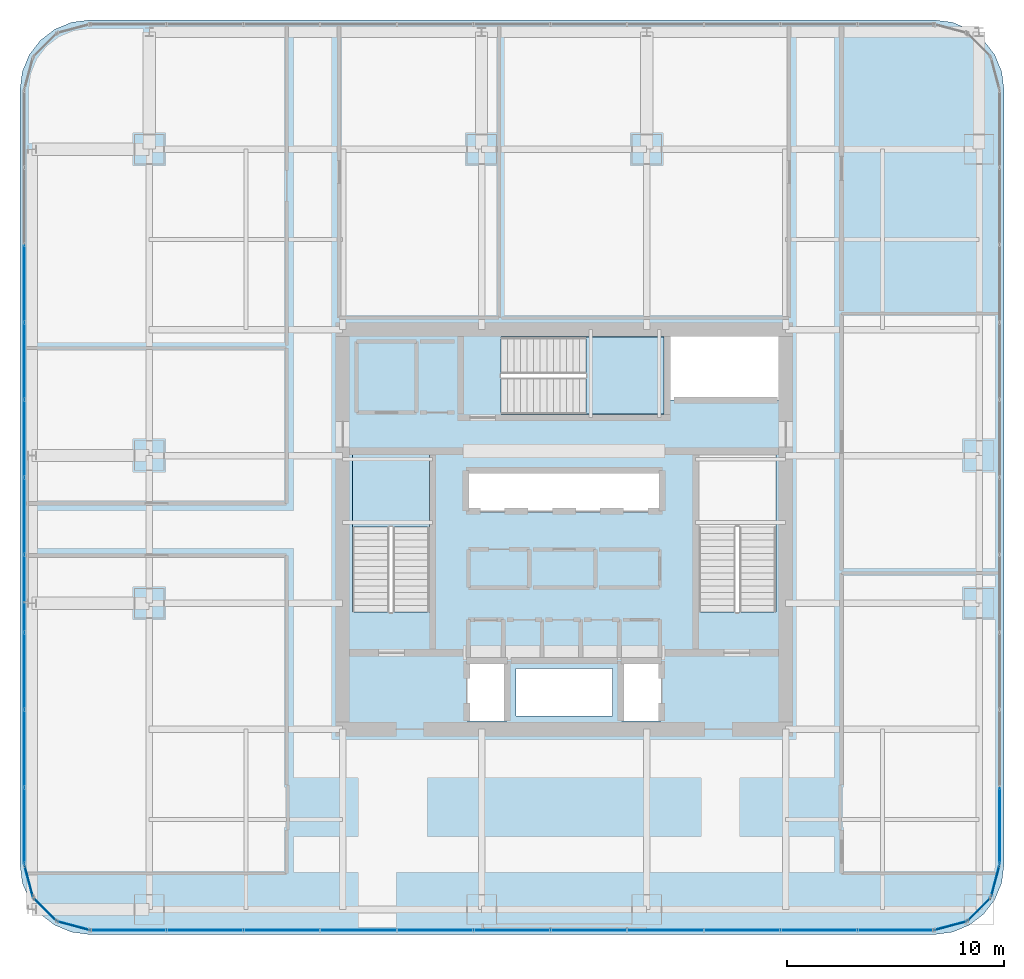
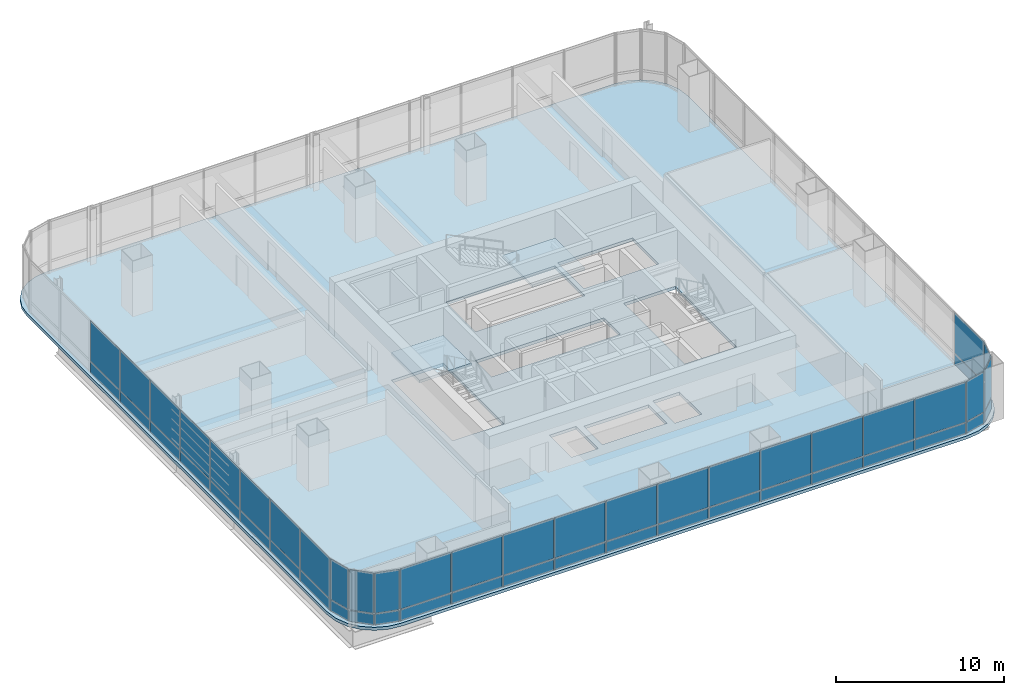
# One storey, part 28 of 38: 52 plates, 3 slabs, 11 elements without a shape of their own.
"""IFC4 building model written with IfcOpenShell, lengths in metres."""

from ifc_helpers import new_model, si_unit, direction, frame, origin, origin_2d, place, context, subcontext, project, spatial, polyline, rectangle, outline, extrude, material, layer, layer_set, type_object, element, aggregate, save


model = new_model("IFC4")

# Units and contexts
model_context = context("Model", 3, precision=1e-05, world=origin(), true_north=direction((0.0, 1.0)))
body_context = subcontext(model_context, "Body", "Model", "MODEL_VIEW")
ifc_project = project(units=[si_unit("LENGTHUNIT", "METRE"), si_unit("AREAUNIT", "SQUARE_METRE"), si_unit("VOLUMEUNIT", "CUBIC_METRE"), si_unit("PLANEANGLEUNIT", "RADIAN"), si_unit("MASSUNIT", "GRAM", prefix="KILO")], contexts=[model_context])

# Site, building, storey
site_placement = place(None, origin())
site = spatial("IfcSite", under=ifc_project, at=site_placement, CompositionType="ELEMENT")
building_placement = place(site_placement, origin())
building = spatial("IfcBuilding", under=site, at=building_placement, Name="Punatoya Terracotta Tower", CompositionType="ELEMENT")
storey_placement = place(building_placement, frame((0.0, 0.0, 151.949951171875)))
storey = spatial("IfcBuildingStorey", under=building, at=storey_placement, Name="L35", CompositionType="ELEMENT", Elevation=151.949951171875)

# Curtain wall, plates
ifc_material_1 = material(Name="Aluminium 6063-T6 + Double Low-E Glass", Category="aluminium")
curtain_wall_type = type_object("IfcCurtainWallType", Name="CW-M2", PredefinedType="NOTDEFINED", material=ifc_material_1)
curtain_wall_1_placement = place(storey_placement, origin())
curtain_wall_1 = element("IfcCurtainWall", 1, at=curtain_wall_1_placement, inside=storey, type_object=curtain_wall_type, Name="L35 Curtain Wall CW-L35-S01-1", PredefinedType="NOTDEFINED")
ifc_material_2 = material(Name="Double Low-E Acoustic Vision Glass", Category="glass")
ifc_layer_1 = layer(ifc_material_2, 0.031982421875)
ifc_layer_set_1 = layer_set([ifc_layer_1], Name="Double Low-E Acoustic Vision Glass")
plate_type_1 = type_object("IfcPlateType", Name="PLT-GLZ-32", PredefinedType="CURTAIN_PANEL", material=ifc_layer_set_1)
plate_1_placement = place(storey_placement, frame((-20.06982421875, -18.449951171875, 0.89013671875), z_axis=(0.0, 0.0, 1.0), x_axis=(1.0, 0.0, 0.0)))
plate_1 = element("IfcPlate", 2, at=plate_1_placement, type_object=plate_type_1, Name="CW-L35-S01-1 Vision Glass Panel 1", PredefinedType="CURTAIN_PANEL", context=body_context, shape_type="SweptSolid", body=[
    extrude(rectangle(XDim=3.448974609375, YDim=0.031982421875, at=origin_2d()), origin(), (0.0, 0.0, 1.0), 2.89990234375),
])
plate_2_placement = place(storey_placement, frame((-16.535888671875, -18.449951171875, 0.89013671875), z_axis=(0.0, 0.0, 1.0), x_axis=(1.0, 0.0, 0.0)))
plate_2 = element("IfcPlate", 3, at=plate_2_placement, type_object=plate_type_1, Name="CW-L35-S01-1 Vision Glass Panel 2", PredefinedType="CURTAIN_PANEL", context=body_context, shape_type="SweptSolid", body=[
    extrude(rectangle(XDim=3.448974609375, YDim=0.031982421875, at=origin_2d()), origin(), (0.0, 0.0, 1.0), 2.89990234375),
])
plate_3_placement = place(storey_placement, frame((-13.001953125, -18.449951171875, 0.89013671875), z_axis=(0.0, 0.0, 1.0), x_axis=(1.0, 0.0, 0.0)))
plate_3 = element("IfcPlate", 4, at=plate_3_placement, type_object=plate_type_1, Name="CW-L35-S01-1 Vision Glass Panel 3", PredefinedType="CURTAIN_PANEL", context=body_context, shape_type="SweptSolid", body=[
    extrude(rectangle(XDim=3.448974609375, YDim=0.031982421875, at=origin_2d()), origin(), (0.0, 0.0, 1.0), 2.89990234375),
])
plate_4_placement = place(storey_placement, frame((-9.468017578125, -18.449951171875, 0.89013671875), z_axis=(0.0, 0.0, 1.0), x_axis=(1.0, 0.0, 0.0)))
plate_4 = element("IfcPlate", 5, at=plate_4_placement, type_object=plate_type_1, Name="CW-L35-S01-1 Vision Glass Panel 4", PredefinedType="CURTAIN_PANEL", context=body_context, shape_type="SweptSolid", body=[
    extrude(rectangle(XDim=3.448974609375, YDim=0.031982421875, at=origin_2d()), origin(), (0.0, 0.0, 1.0), 2.89990234375),
])
plate_5_placement = place(storey_placement, frame((-5.93408203125, -18.449951171875, 0.89013671875), z_axis=(0.0, 0.0, 1.0), x_axis=(1.0, 0.0, 0.0)))
plate_5 = element("IfcPlate", 6, at=plate_5_placement, type_object=plate_type_1, Name="CW-L35-S01-1 Vision Glass Panel 5", PredefinedType="CURTAIN_PANEL", context=body_context, shape_type="SweptSolid", body=[
    extrude(rectangle(XDim=3.448974609375, YDim=0.031982421875, at=origin_2d()), origin(), (0.0, 0.0, 1.0), 2.89990234375),
])
plate_6_placement = place(storey_placement, frame((-2.39990234375, -18.449951171875, 0.89013671875), z_axis=(0.0, 0.0, 1.0), x_axis=(1.0, 0.0, 0.0)))
plate_6 = element("IfcPlate", 7, at=plate_6_placement, type_object=plate_type_1, Name="CW-L35-S01-1 Vision Glass Panel 6", PredefinedType="CURTAIN_PANEL", context=body_context, shape_type="SweptSolid", body=[
    extrude(rectangle(XDim=3.448974609375, YDim=0.031982421875, at=origin_2d()), origin(), (0.0, 0.0, 1.0), 2.89990234375),
])
plate_7_placement = place(storey_placement, frame((1.134033203125, -18.449951171875, 0.89013671875), z_axis=(0.0, 0.0, 1.0), x_axis=(1.0, 0.0, 0.0)))
plate_7 = element("IfcPlate", 8, at=plate_7_placement, type_object=plate_type_1, Name="CW-L35-S01-1 Vision Glass Panel 7", PredefinedType="CURTAIN_PANEL", context=body_context, shape_type="SweptSolid", body=[
    extrude(rectangle(XDim=3.448974609375, YDim=0.031982421875, at=origin_2d()), origin(), (0.0, 0.0, 1.0), 2.89990234375),
])
plate_8_placement = place(storey_placement, frame((4.66796875, -18.449951171875, 0.89013671875), z_axis=(0.0, 0.0, 1.0), x_axis=(1.0, 0.0, 0.0)))
plate_8 = element("IfcPlate", 9, at=plate_8_placement, type_object=plate_type_1, Name="CW-L35-S01-1 Vision Glass Panel 8", PredefinedType="CURTAIN_PANEL", context=body_context, shape_type="SweptSolid", body=[
    extrude(rectangle(XDim=3.448974609375, YDim=0.031982421875, at=origin_2d()), origin(), (0.0, 0.0, 1.0), 2.89990234375),
])
plate_9_placement = place(storey_placement, frame((8.201904296875, -18.449951171875, 0.89013671875), z_axis=(0.0, 0.0, 1.0), x_axis=(1.0, 0.0, 0.0)))
plate_9 = element("IfcPlate", 10, at=plate_9_placement, type_object=plate_type_1, Name="CW-L35-S01-1 Vision Glass Panel 9", PredefinedType="CURTAIN_PANEL", context=body_context, shape_type="SweptSolid", body=[
    extrude(rectangle(XDim=3.448974609375, YDim=0.031982421875, at=origin_2d()), origin(), (0.0, 0.0, 1.0), 2.89990234375),
])
plate_10_placement = place(storey_placement, frame((11.73583984375, -18.449951171875, 0.89013671875), z_axis=(0.0, 0.0, 1.0), x_axis=(1.0, 0.0, 0.0)))
plate_10 = element("IfcPlate", 11, at=plate_10_placement, type_object=plate_type_1, Name="CW-L35-S01-1 Vision Glass Panel 10", PredefinedType="CURTAIN_PANEL", context=body_context, shape_type="SweptSolid", body=[
    extrude(rectangle(XDim=3.448974609375, YDim=0.031982421875, at=origin_2d()), origin(), (0.0, 0.0, 1.0), 2.89990234375),
])
plate_11_placement = place(storey_placement, frame((15.27001953125, -18.449951171875, 0.89013671875), z_axis=(0.0, 0.0, 1.0), x_axis=(1.0, 0.0, 0.0)))
plate_11 = element("IfcPlate", 12, at=plate_11_placement, type_object=plate_type_1, Name="CW-L35-S01-1 Vision Glass Panel 11", PredefinedType="CURTAIN_PANEL", context=body_context, shape_type="SweptSolid", body=[
    extrude(rectangle(XDim=3.448974609375, YDim=0.031982421875, at=origin_2d()), origin(), (0.0, 0.0, 1.0), 2.89990234375),
])

# Curtain wall, plate
curtain_wall_2_placement = place(storey_placement, origin())
curtain_wall_2 = element("IfcCurtainWall", 13, at=curtain_wall_2_placement, inside=storey, type_object=curtain_wall_type, Name="L35 Curtain Wall CW-L35-CRN02", PredefinedType="NOTDEFINED")
plate_12_placement = place(storey_placement, frame((17.79296875, -18.248291015625, 0.89013671875), z_axis=(0.0, 0.0, 1.0), x_axis=(0.966213877436, 0.257741620719, 0.0)))
plate_12 = element("IfcPlate", 14, at=plate_12_placement, type_object=plate_type_1, Name="CW-L35-CRN02 Vision Glass Panel 1", PredefinedType="CURTAIN_PANEL", context=body_context, shape_type="SweptSolid", body=[
    extrude(rectangle(XDim=1.47998046875, YDim=0.031982421875, at=origin_2d()), origin(), (0.0, 0.0, 1.0), 2.89990234375),
])

curtain_wall_3_placement = place(storey_placement, origin())
curtain_wall_3 = element("IfcCurtainWall", 15, at=curtain_wall_3_placement, inside=storey, type_object=curtain_wall_type, Name="L35 Curtain Wall CW-L35-CRN03", PredefinedType="NOTDEFINED")
plate_13_placement = place(storey_placement, frame((19.097900390625, -17.497802734375, 0.89013671875), z_axis=(0.0, 0.0, 1.0), x_axis=(0.707106781187, 0.707106781187, 0.0)))
plate_13 = element("IfcPlate", 16, at=plate_13_placement, type_object=plate_type_1, Name="CW-L35-CRN03 Vision Glass Panel 1", PredefinedType="CURTAIN_PANEL", context=body_context, shape_type="SweptSolid", body=[
    extrude(rectangle(XDim=1.467041015625, YDim=0.031982421875, at=origin_2d()), origin(), (0.0, 0.0, 1.0), 2.89990234375),
])

curtain_wall_4_placement = place(storey_placement, origin())
curtain_wall_4 = element("IfcCurtainWall", 17, at=curtain_wall_4_placement, inside=storey, type_object=curtain_wall_type, Name="L35 Curtain Wall CW-L35-CRN04", PredefinedType="NOTDEFINED")
plate_14_placement = place(storey_placement, frame((19.848388671875, -16.193115234375, 0.89013671875), z_axis=(0.0, 0.0, 1.0), x_axis=(0.257741620719, 0.966213877436, 0.0)))
plate_14 = element("IfcPlate", 18, at=plate_14_placement, type_object=plate_type_1, Name="CW-L35-CRN04 Vision Glass Panel 1", PredefinedType="CURTAIN_PANEL", context=body_context, shape_type="SweptSolid", body=[
    extrude(rectangle(XDim=1.47998046875, YDim=0.031982421875, at=origin_2d()), origin(), (0.0, 0.0, 1.0), 2.89990234375),
])

curtain_wall_5_placement = place(storey_placement, origin())
curtain_wall_5 = element("IfcCurtainWall", 19, at=curtain_wall_5_placement, inside=storey, type_object=curtain_wall_type, Name="L35 Curtain Wall CW-L35-E05-1", PredefinedType="NOTDEFINED")
plate_15_placement = place(storey_placement, frame((20.050048828125, -13.6533203125, 0.89013671875), z_axis=(0.0, 0.0, 1.0), x_axis=(0.0, 1.0, 0.0)))
plate_15 = element("IfcPlate", 20, at=plate_15_placement, type_object=plate_type_1, Name="CW-L35-E05-1 Vision Glass Panel 1", PredefinedType="CURTAIN_PANEL", context=body_context, shape_type="SweptSolid", body=[
    extrude(rectangle(XDim=3.482421875, YDim=0.031982421875, at=origin_2d()), origin(), (0.0, 0.0, 1.0), 2.89990234375),
])

# Curtain wall, plates
curtain_wall_6_placement = place(storey_placement, origin())
curtain_wall_6 = element("IfcCurtainWall", 21, at=curtain_wall_6_placement, inside=storey, type_object=curtain_wall_type, Name="L35 Curtain Wall CW-L35-W13-1", PredefinedType="NOTDEFINED")
plate_16_placement = place(storey_placement, frame((-24.85009765625, 11.318359375, 0.89013671875), z_axis=(0.0, 0.0, 1.0), x_axis=(0.0, -1.0, 0.0)))
plate_16 = element("IfcPlate", 22, at=plate_16_placement, type_object=plate_type_1, Name="CW-L35-W13-1 Vision Glass Panel 3", PredefinedType="CURTAIN_PANEL", context=body_context, shape_type="SweptSolid", body=[
    extrude(rectangle(XDim=3.482421875, YDim=0.031982421875, at=origin_2d()), origin(), (0.0, 0.0, 1.0), 2.89990234375),
])
plate_17_placement = place(storey_placement, frame((-24.85009765625, 7.751220703125, 0.89013671875), z_axis=(0.0, 0.0, 1.0), x_axis=(0.0, -1.0, 0.0)))
plate_17 = element("IfcPlate", 23, at=plate_17_placement, type_object=plate_type_1, Name="CW-L35-W13-1 Vision Glass Panel 4", PredefinedType="CURTAIN_PANEL", context=body_context, shape_type="SweptSolid", body=[
    extrude(rectangle(XDim=3.482421875, YDim=0.031982421875, at=origin_2d()), origin(), (0.0, 0.0, 1.0), 2.89990234375),
])
plate_18_placement = place(storey_placement, frame((-24.85009765625, 4.18359375, 0.89013671875), z_axis=(0.0, 0.0, 1.0), x_axis=(0.0, -1.0, 0.0)))
plate_18 = element("IfcPlate", 24, at=plate_18_placement, type_object=plate_type_1, Name="CW-L35-W13-1 Vision Glass Panel 5", PredefinedType="CURTAIN_PANEL", context=body_context, shape_type="SweptSolid", body=[
    extrude(rectangle(XDim=3.482421875, YDim=0.031982421875, at=origin_2d()), origin(), (0.0, 0.0, 1.0), 2.89990234375),
])
plate_19_placement = place(storey_placement, frame((-24.85009765625, 0.6162109375, 0.89013671875), z_axis=(0.0, 0.0, 1.0), x_axis=(0.0, -1.0, 0.0)))
plate_19 = element("IfcPlate", 25, at=plate_19_placement, type_object=plate_type_1, Name="CW-L35-W13-1 Vision Glass Panel 6", PredefinedType="CURTAIN_PANEL", context=body_context, shape_type="SweptSolid", body=[
    extrude(rectangle(XDim=3.482421875, YDim=0.031982421875, at=origin_2d()), origin(), (0.0, 0.0, 1.0), 2.89990234375),
])
plate_20_placement = place(storey_placement, frame((-24.85009765625, -2.951171875, 0.89013671875), z_axis=(0.0, 0.0, 1.0), x_axis=(0.0, -1.0, 0.0)))
plate_20 = element("IfcPlate", 26, at=plate_20_placement, type_object=plate_type_1, Name="CW-L35-W13-1 Vision Glass Panel 7", PredefinedType="CURTAIN_PANEL", context=body_context, shape_type="SweptSolid", body=[
    extrude(rectangle(XDim=3.482421875, YDim=0.031982421875, at=origin_2d()), origin(), (0.0, 0.0, 1.0), 2.89990234375),
])
plate_21_placement = place(storey_placement, frame((-24.85009765625, -6.518310546875, 0.89013671875), z_axis=(0.0, 0.0, 1.0), x_axis=(0.0, -1.0, 0.0)))
plate_21 = element("IfcPlate", 27, at=plate_21_placement, type_object=plate_type_1, Name="CW-L35-W13-1 Vision Glass Panel 8", PredefinedType="CURTAIN_PANEL", context=body_context, shape_type="SweptSolid", body=[
    extrude(rectangle(XDim=3.482421875, YDim=0.031982421875, at=origin_2d()), origin(), (0.0, 0.0, 1.0), 2.89990234375),
])
plate_22_placement = place(storey_placement, frame((-24.85009765625, -10.085693359375, 0.89013671875), z_axis=(0.0, 0.0, 1.0), x_axis=(0.0, -1.0, 0.0)))
plate_22 = element("IfcPlate", 28, at=plate_22_placement, type_object=plate_type_1, Name="CW-L35-W13-1 Vision Glass Panel 9", PredefinedType="CURTAIN_PANEL", context=body_context, shape_type="SweptSolid", body=[
    extrude(rectangle(XDim=3.482421875, YDim=0.031982421875, at=origin_2d()), origin(), (0.0, 0.0, 1.0), 2.89990234375),
])
plate_23_placement = place(storey_placement, frame((-24.85009765625, -13.6533203125, 0.89013671875), z_axis=(0.0, 0.0, 1.0), x_axis=(0.0, -1.0, 0.0)))
plate_23 = element("IfcPlate", 29, at=plate_23_placement, type_object=plate_type_1, Name="CW-L35-W13-1 Vision Glass Panel 10", PredefinedType="CURTAIN_PANEL", context=body_context, shape_type="SweptSolid", body=[
    extrude(rectangle(XDim=3.482421875, YDim=0.031982421875, at=origin_2d()), origin(), (0.0, 0.0, 1.0), 2.89990234375),
])

# Curtain wall, plate
curtain_wall_7_placement = place(storey_placement, origin())
curtain_wall_7 = element("IfcCurtainWall", 30, at=curtain_wall_7_placement, inside=storey, type_object=curtain_wall_type, Name="L35 Curtain Wall CW-L35-CRN14", PredefinedType="NOTDEFINED")
plate_24_placement = place(storey_placement, frame((-24.648193359375, -16.193115234375, 0.89013671875), z_axis=(0.0, 0.0, 1.0), x_axis=(0.257741620719, -0.966213877436, 0.0)))
plate_24 = element("IfcPlate", 31, at=plate_24_placement, type_object=plate_type_1, Name="CW-L35-CRN14 Vision Glass Panel 1", PredefinedType="CURTAIN_PANEL", context=body_context, shape_type="SweptSolid", body=[
    extrude(rectangle(XDim=1.47998046875, YDim=0.031982421875, at=origin_2d()), origin(), (0.0, 0.0, 1.0), 2.89990234375),
])

curtain_wall_8_placement = place(storey_placement, origin())
curtain_wall_8 = element("IfcCurtainWall", 32, at=curtain_wall_8_placement, inside=storey, type_object=curtain_wall_type, Name="L35 Curtain Wall CW-L35-CRN15", PredefinedType="NOTDEFINED")
plate_25_placement = place(storey_placement, frame((-23.89794921875, -17.497802734375, 0.89013671875), z_axis=(0.0, 0.0, 1.0), x_axis=(0.707106781187, -0.707106781187, 0.0)))
plate_25 = element("IfcPlate", 33, at=plate_25_placement, type_object=plate_type_1, Name="CW-L35-CRN15 Vision Glass Panel 1", PredefinedType="CURTAIN_PANEL", context=body_context, shape_type="SweptSolid", body=[
    extrude(rectangle(XDim=1.467041015625, YDim=0.031982421875, at=origin_2d()), origin(), (0.0, 0.0, 1.0), 2.89990234375),
])

curtain_wall_9_placement = place(storey_placement, origin())
curtain_wall_9 = element("IfcCurtainWall", 34, at=curtain_wall_9_placement, inside=storey, type_object=curtain_wall_type, Name="L35 Curtain Wall CW-L35-CRN16", PredefinedType="NOTDEFINED")
plate_26_placement = place(storey_placement, frame((-22.593017578125, -18.248291015625, 0.89013671875), z_axis=(0.0, 0.0, 1.0), x_axis=(0.966213877436, -0.257741620719, 0.0)))
plate_26 = element("IfcPlate", 35, at=plate_26_placement, type_object=plate_type_1, Name="CW-L35-CRN16 Vision Glass Panel 1", PredefinedType="CURTAIN_PANEL", context=body_context, shape_type="SweptSolid", body=[
    extrude(rectangle(XDim=1.47998046875, YDim=0.031982421875, at=origin_2d()), origin(), (0.0, 0.0, 1.0), 2.89990234375),
])

# Plate
ifc_material_3 = material(Name="Insulated Terracotta-Backed Spandrel Panel", Category="masonry")
ifc_layer_2 = layer(ifc_material_3, 0.044921875)
ifc_layer_set_2 = layer_set([ifc_layer_2], Name="Insulated Terracotta-Backed Spandrel Panel")
plate_type_2 = type_object("IfcPlateType", Name="PLT-SPN-45", PredefinedType="CURTAIN_PANEL", material=ifc_layer_set_2)
plate_27_placement = place(storey_placement, frame((-20.06982421875, -18.449951171875, 0.0400390625), z_axis=(0.0, 0.0, 1.0), x_axis=(1.0, 0.0, 0.0)))
plate_27 = element("IfcPlate", 36, at=plate_27_placement, type_object=plate_type_2, Name="CW-L35-S01-1 Terracotta Spandrel Panel 1", PredefinedType="CURTAIN_PANEL", context=body_context, shape_type="SweptSolid", body=[
    extrude(rectangle(XDim=3.448974609375, YDim=0.044921875, at=origin_2d()), origin(), (0.0, 0.0, 1.0), 0.77490234375),
])

plate_28_placement = place(storey_placement, frame((-16.535888671875, -18.449951171875, 0.0400390625), z_axis=(0.0, 0.0, 1.0), x_axis=(1.0, 0.0, 0.0)))
plate_28 = element("IfcPlate", 37, at=plate_28_placement, type_object=plate_type_2, Name="CW-L35-S01-1 Terracotta Spandrel Panel 2", PredefinedType="CURTAIN_PANEL", context=body_context, shape_type="SweptSolid", body=[
    extrude(rectangle(XDim=3.448974609375, YDim=0.044921875, at=origin_2d()), origin(), (0.0, 0.0, 1.0), 0.77490234375),
])

plate_29_placement = place(storey_placement, frame((-13.001953125, -18.449951171875, 0.0400390625), z_axis=(0.0, 0.0, 1.0), x_axis=(1.0, 0.0, 0.0)))
plate_29 = element("IfcPlate", 38, at=plate_29_placement, type_object=plate_type_2, Name="CW-L35-S01-1 Terracotta Spandrel Panel 3", PredefinedType="CURTAIN_PANEL", context=body_context, shape_type="SweptSolid", body=[
    extrude(rectangle(XDim=3.448974609375, YDim=0.044921875, at=origin_2d()), origin(), (0.0, 0.0, 1.0), 0.77490234375),
])

plate_30_placement = place(storey_placement, frame((-9.468017578125, -18.449951171875, 0.0400390625), z_axis=(0.0, 0.0, 1.0), x_axis=(1.0, 0.0, 0.0)))
plate_30 = element("IfcPlate", 39, at=plate_30_placement, type_object=plate_type_2, Name="CW-L35-S01-1 Terracotta Spandrel Panel 4", PredefinedType="CURTAIN_PANEL", context=body_context, shape_type="SweptSolid", body=[
    extrude(rectangle(XDim=3.448974609375, YDim=0.044921875, at=origin_2d()), origin(), (0.0, 0.0, 1.0), 0.77490234375),
])

plate_31_placement = place(storey_placement, frame((-5.93408203125, -18.449951171875, 0.0400390625), z_axis=(0.0, 0.0, 1.0), x_axis=(1.0, 0.0, 0.0)))
plate_31 = element("IfcPlate", 40, at=plate_31_placement, type_object=plate_type_2, Name="CW-L35-S01-1 Terracotta Spandrel Panel 5", PredefinedType="CURTAIN_PANEL", context=body_context, shape_type="SweptSolid", body=[
    extrude(rectangle(XDim=3.448974609375, YDim=0.044921875, at=origin_2d()), origin(), (0.0, 0.0, 1.0), 0.77490234375),
])

plate_32_placement = place(storey_placement, frame((-2.39990234375, -18.449951171875, 0.0400390625), z_axis=(0.0, 0.0, 1.0), x_axis=(1.0, 0.0, 0.0)))
plate_32 = element("IfcPlate", 41, at=plate_32_placement, type_object=plate_type_2, Name="CW-L35-S01-1 Terracotta Spandrel Panel 6", PredefinedType="CURTAIN_PANEL", context=body_context, shape_type="SweptSolid", body=[
    extrude(rectangle(XDim=3.448974609375, YDim=0.044921875, at=origin_2d()), origin(), (0.0, 0.0, 1.0), 0.77490234375),
])

plate_33_placement = place(storey_placement, frame((1.134033203125, -18.449951171875, 0.0400390625), z_axis=(0.0, 0.0, 1.0), x_axis=(1.0, 0.0, 0.0)))
plate_33 = element("IfcPlate", 42, at=plate_33_placement, type_object=plate_type_2, Name="CW-L35-S01-1 Terracotta Spandrel Panel 7", PredefinedType="CURTAIN_PANEL", context=body_context, shape_type="SweptSolid", body=[
    extrude(rectangle(XDim=3.448974609375, YDim=0.044921875, at=origin_2d()), origin(), (0.0, 0.0, 1.0), 0.77490234375),
])

plate_34_placement = place(storey_placement, frame((4.66796875, -18.449951171875, 0.0400390625), z_axis=(0.0, 0.0, 1.0), x_axis=(1.0, 0.0, 0.0)))
plate_34 = element("IfcPlate", 43, at=plate_34_placement, type_object=plate_type_2, Name="CW-L35-S01-1 Terracotta Spandrel Panel 8", PredefinedType="CURTAIN_PANEL", context=body_context, shape_type="SweptSolid", body=[
    extrude(rectangle(XDim=3.448974609375, YDim=0.044921875, at=origin_2d()), origin(), (0.0, 0.0, 1.0), 0.77490234375),
])

plate_35_placement = place(storey_placement, frame((8.201904296875, -18.449951171875, 0.0400390625), z_axis=(0.0, 0.0, 1.0), x_axis=(1.0, 0.0, 0.0)))
plate_35 = element("IfcPlate", 44, at=plate_35_placement, type_object=plate_type_2, Name="CW-L35-S01-1 Terracotta Spandrel Panel 9", PredefinedType="CURTAIN_PANEL", context=body_context, shape_type="SweptSolid", body=[
    extrude(rectangle(XDim=3.448974609375, YDim=0.044921875, at=origin_2d()), origin(), (0.0, 0.0, 1.0), 0.77490234375),
])

plate_36_placement = place(storey_placement, frame((11.73583984375, -18.449951171875, 0.0400390625), z_axis=(0.0, 0.0, 1.0), x_axis=(1.0, 0.0, 0.0)))
plate_36 = element("IfcPlate", 45, at=plate_36_placement, type_object=plate_type_2, Name="CW-L35-S01-1 Terracotta Spandrel Panel 10", PredefinedType="CURTAIN_PANEL", context=body_context, shape_type="SweptSolid", body=[
    extrude(rectangle(XDim=3.448974609375, YDim=0.044921875, at=origin_2d()), origin(), (0.0, 0.0, 1.0), 0.77490234375),
])

plate_37_placement = place(storey_placement, frame((15.27001953125, -18.449951171875, 0.0400390625), z_axis=(0.0, 0.0, 1.0), x_axis=(1.0, 0.0, 0.0)))
plate_37 = element("IfcPlate", 46, at=plate_37_placement, type_object=plate_type_2, Name="CW-L35-S01-1 Terracotta Spandrel Panel 11", PredefinedType="CURTAIN_PANEL", context=body_context, shape_type="SweptSolid", body=[
    extrude(rectangle(XDim=3.448974609375, YDim=0.044921875, at=origin_2d()), origin(), (0.0, 0.0, 1.0), 0.77490234375),
])

aggregate(curtain_wall_1, [plate_27, plate_1, plate_28, plate_2, plate_29, plate_3, plate_30, plate_4, plate_31, plate_5, plate_32, plate_6, plate_33, plate_7, plate_34, plate_8, plate_35, plate_9, plate_36, plate_10, plate_37, plate_11])

plate_38_placement = place(storey_placement, frame((17.79296875, -18.248291015625, 0.0400390625), z_axis=(0.0, 0.0, 1.0), x_axis=(0.966213877436, 0.257741620719, 0.0)))
plate_38 = element("IfcPlate", 47, at=plate_38_placement, type_object=plate_type_2, Name="CW-L35-CRN02 Terracotta Spandrel Panel 1", PredefinedType="CURTAIN_PANEL", context=body_context, shape_type="SweptSolid", body=[
    extrude(rectangle(XDim=1.47998046875, YDim=0.044921875, at=origin_2d()), origin(), (0.0, 0.0, 1.0), 0.77490234375),
])

aggregate(curtain_wall_2, [plate_38, plate_12])

plate_39_placement = place(storey_placement, frame((19.097900390625, -17.497802734375, 0.0400390625), z_axis=(0.0, 0.0, 1.0), x_axis=(0.707106781187, 0.707106781187, 0.0)))
plate_39 = element("IfcPlate", 48, at=plate_39_placement, type_object=plate_type_2, Name="CW-L35-CRN03 Terracotta Spandrel Panel 1", PredefinedType="CURTAIN_PANEL", context=body_context, shape_type="SweptSolid", body=[
    extrude(rectangle(XDim=1.467041015625, YDim=0.044921875, at=origin_2d()), origin(), (0.0, 0.0, 1.0), 0.77490234375),
])

aggregate(curtain_wall_3, [plate_39, plate_13])

plate_40_placement = place(storey_placement, frame((19.848388671875, -16.193115234375, 0.0400390625), z_axis=(0.0, 0.0, 1.0), x_axis=(0.257741620719, 0.966213877436, 0.0)))
plate_40 = element("IfcPlate", 49, at=plate_40_placement, type_object=plate_type_2, Name="CW-L35-CRN04 Terracotta Spandrel Panel 1", PredefinedType="CURTAIN_PANEL", context=body_context, shape_type="SweptSolid", body=[
    extrude(rectangle(XDim=1.47998046875, YDim=0.044921875, at=origin_2d()), origin(), (0.0, 0.0, 1.0), 0.77490234375),
])

aggregate(curtain_wall_4, [plate_40, plate_14])

plate_41_placement = place(storey_placement, frame((20.050048828125, -13.6533203125, 0.0400390625), z_axis=(0.0, 0.0, 1.0), x_axis=(0.0, 1.0, 0.0)))
plate_41 = element("IfcPlate", 50, at=plate_41_placement, type_object=plate_type_2, Name="CW-L35-E05-1 Terracotta Spandrel Panel 1", PredefinedType="CURTAIN_PANEL", context=body_context, shape_type="SweptSolid", body=[
    extrude(rectangle(XDim=3.482421875, YDim=0.044921875, at=origin_2d()), origin(), (0.0, 0.0, 1.0), 0.77490234375),
])

aggregate(curtain_wall_5, [plate_41, plate_15])

plate_42_placement = place(storey_placement, frame((-24.85009765625, 11.318359375, 0.0400390625), z_axis=(0.0, 0.0, 1.0), x_axis=(0.0, -1.0, 0.0)))
plate_42 = element("IfcPlate", 51, at=plate_42_placement, type_object=plate_type_2, Name="CW-L35-W13-1 Terracotta Spandrel Panel 3", PredefinedType="CURTAIN_PANEL", context=body_context, shape_type="SweptSolid", body=[
    extrude(rectangle(XDim=3.482421875, YDim=0.044921875, at=origin_2d()), origin(), (0.0, 0.0, 1.0), 0.77490234375),
])

plate_43_placement = place(storey_placement, frame((-24.85009765625, 7.751220703125, 0.0400390625), z_axis=(0.0, 0.0, 1.0), x_axis=(0.0, -1.0, 0.0)))
plate_43 = element("IfcPlate", 52, at=plate_43_placement, type_object=plate_type_2, Name="CW-L35-W13-1 Terracotta Spandrel Panel 4", PredefinedType="CURTAIN_PANEL", context=body_context, shape_type="SweptSolid", body=[
    extrude(rectangle(XDim=3.482421875, YDim=0.044921875, at=origin_2d()), origin(), (0.0, 0.0, 1.0), 0.77490234375),
])

plate_44_placement = place(storey_placement, frame((-24.85009765625, 4.18359375, 0.0400390625), z_axis=(0.0, 0.0, 1.0), x_axis=(0.0, -1.0, 0.0)))
plate_44 = element("IfcPlate", 53, at=plate_44_placement, type_object=plate_type_2, Name="CW-L35-W13-1 Terracotta Spandrel Panel 5", PredefinedType="CURTAIN_PANEL", context=body_context, shape_type="SweptSolid", body=[
    extrude(rectangle(XDim=3.482421875, YDim=0.044921875, at=origin_2d()), origin(), (0.0, 0.0, 1.0), 0.77490234375),
])

plate_45_placement = place(storey_placement, frame((-24.85009765625, 0.6162109375, 0.0400390625), z_axis=(0.0, 0.0, 1.0), x_axis=(0.0, -1.0, 0.0)))
plate_45 = element("IfcPlate", 54, at=plate_45_placement, type_object=plate_type_2, Name="CW-L35-W13-1 Terracotta Spandrel Panel 6", PredefinedType="CURTAIN_PANEL", context=body_context, shape_type="SweptSolid", body=[
    extrude(rectangle(XDim=3.482421875, YDim=0.044921875, at=origin_2d()), origin(), (0.0, 0.0, 1.0), 0.77490234375),
])

plate_46_placement = place(storey_placement, frame((-24.85009765625, -2.951171875, 0.0400390625), z_axis=(0.0, 0.0, 1.0), x_axis=(0.0, -1.0, 0.0)))
plate_46 = element("IfcPlate", 55, at=plate_46_placement, type_object=plate_type_2, Name="CW-L35-W13-1 Terracotta Spandrel Panel 7", PredefinedType="CURTAIN_PANEL", context=body_context, shape_type="SweptSolid", body=[
    extrude(rectangle(XDim=3.482421875, YDim=0.044921875, at=origin_2d()), origin(), (0.0, 0.0, 1.0), 0.77490234375),
])

plate_47_placement = place(storey_placement, frame((-24.85009765625, -6.518310546875, 0.0400390625), z_axis=(0.0, 0.0, 1.0), x_axis=(0.0, -1.0, 0.0)))
plate_47 = element("IfcPlate", 56, at=plate_47_placement, type_object=plate_type_2, Name="CW-L35-W13-1 Terracotta Spandrel Panel 8", PredefinedType="CURTAIN_PANEL", context=body_context, shape_type="SweptSolid", body=[
    extrude(rectangle(XDim=3.482421875, YDim=0.044921875, at=origin_2d()), origin(), (0.0, 0.0, 1.0), 0.77490234375),
])

plate_48_placement = place(storey_placement, frame((-24.85009765625, -10.085693359375, 0.0400390625), z_axis=(0.0, 0.0, 1.0), x_axis=(0.0, -1.0, 0.0)))
plate_48 = element("IfcPlate", 57, at=plate_48_placement, type_object=plate_type_2, Name="CW-L35-W13-1 Terracotta Spandrel Panel 9", PredefinedType="CURTAIN_PANEL", context=body_context, shape_type="SweptSolid", body=[
    extrude(rectangle(XDim=3.482421875, YDim=0.044921875, at=origin_2d()), origin(), (0.0, 0.0, 1.0), 0.77490234375),
])

plate_49_placement = place(storey_placement, frame((-24.85009765625, -13.6533203125, 0.0400390625), z_axis=(0.0, 0.0, 1.0), x_axis=(0.0, -1.0, 0.0)))
plate_49 = element("IfcPlate", 58, at=plate_49_placement, type_object=plate_type_2, Name="CW-L35-W13-1 Terracotta Spandrel Panel 10", PredefinedType="CURTAIN_PANEL", context=body_context, shape_type="SweptSolid", body=[
    extrude(rectangle(XDim=3.482421875, YDim=0.044921875, at=origin_2d()), origin(), (0.0, 0.0, 1.0), 0.77490234375),
])

aggregate(curtain_wall_6, [plate_42, plate_16, plate_43, plate_17, plate_44, plate_18, plate_45, plate_19, plate_46, plate_20, plate_47, plate_21, plate_48, plate_22, plate_49, plate_23])

plate_50_placement = place(storey_placement, frame((-24.648193359375, -16.193115234375, 0.0400390625), z_axis=(0.0, 0.0, 1.0), x_axis=(0.257741620719, -0.966213877436, 0.0)))
plate_50 = element("IfcPlate", 59, at=plate_50_placement, type_object=plate_type_2, Name="CW-L35-CRN14 Terracotta Spandrel Panel 1", PredefinedType="CURTAIN_PANEL", context=body_context, shape_type="SweptSolid", body=[
    extrude(rectangle(XDim=1.47998046875, YDim=0.044921875, at=origin_2d()), origin(), (0.0, 0.0, 1.0), 0.77490234375),
])

aggregate(curtain_wall_7, [plate_50, plate_24])

plate_51_placement = place(storey_placement, frame((-23.89794921875, -17.497802734375, 0.0400390625), z_axis=(0.0, 0.0, 1.0), x_axis=(0.707106781187, -0.707106781187, 0.0)))
plate_51 = element("IfcPlate", 60, at=plate_51_placement, type_object=plate_type_2, Name="CW-L35-CRN15 Terracotta Spandrel Panel 1", PredefinedType="CURTAIN_PANEL", context=body_context, shape_type="SweptSolid", body=[
    extrude(rectangle(XDim=1.467041015625, YDim=0.044921875, at=origin_2d()), origin(), (0.0, 0.0, 1.0), 0.77490234375),
])

aggregate(curtain_wall_8, [plate_51, plate_25])

plate_52_placement = place(storey_placement, frame((-22.593017578125, -18.248291015625, 0.0400390625), z_axis=(0.0, 0.0, 1.0), x_axis=(0.966213877436, -0.257741620719, 0.0)))
plate_52 = element("IfcPlate", 61, at=plate_52_placement, type_object=plate_type_2, Name="CW-L35-CRN16 Terracotta Spandrel Panel 1", PredefinedType="CURTAIN_PANEL", context=body_context, shape_type="SweptSolid", body=[
    extrude(rectangle(XDim=1.47998046875, YDim=0.044921875, at=origin_2d()), origin(), (0.0, 0.0, 1.0), 0.77490234375),
])

aggregate(curtain_wall_9, [plate_52, plate_26])

# Stair, slab
ifc_material_4 = material(Name="Concrete C40/50", Category="concrete")
stair_type_1 = type_object("IfcStairType", Name="STR-TER-1450", PredefinedType="HALF_TURN_STAIR", material=ifc_material_4)
stair_1_placement = place(storey_placement, origin())
stair_1 = element("IfcStair", 62, at=stair_1_placement, inside=storey, type_object=stair_type_1, Name="L35 Protected Core Exit Stair ST-3", PredefinedType="HALF_TURN_STAIR")
ifc_layer_3 = layer(ifc_material_4, 0.1650390625)
ifc_layer_set_3 = layer_set([ifc_layer_3], Name="Concrete C40/50")
slab_type_1 = type_object("IfcSlabType", Name="SLB-LND-165", PredefinedType="LANDING", material=ifc_layer_set_3)
slab_1_placement = place(storey_placement, frame((0.0, 0.0, 1.824951171875)))
slab_1 = element("IfcSlab", 63, at=slab_1_placement, type_object=slab_type_1, Name="ST-3 landing 1", PredefinedType="LANDING", context=body_context, shape_type="SweptSolid", body=[
    extrude(outline(polyline([(1.0, 5.300048828125), (4.60009765625, 5.300048828125), (4.60009765625, 8.85009765625), (1.0, 8.85009765625), (1.0, 5.300048828125)])), origin(), (0.0, 0.0, 1.0), 0.2001953125),
])
aggregate(stair_1, [slab_1])

stair_type_2 = type_object("IfcStairType", Name="STR-CORE-1550", PredefinedType="HALF_TURN_STAIR", material=ifc_material_4)
stair_2_placement = place(storey_placement, origin())
stair_2 = element("IfcStair", 64, at=stair_2_placement, inside=storey, type_object=stair_type_2, Name="L35 Protected Core Exit Stair ST-1", PredefinedType="HALF_TURN_STAIR")
ifc_layer_4 = layer(ifc_material_4, 0.179931640625)
ifc_layer_set_4 = layer_set([ifc_layer_4], Name="Concrete C40/50")
slab_type_2 = type_object("IfcSlabType", Name="SLB-LND-180", PredefinedType="LANDING", material=ifc_layer_set_4)
slab_2_placement = place(storey_placement, frame((0.0, 0.0, 1.824951171875)))
slab_2 = element("IfcSlab", 65, at=slab_2_placement, type_object=slab_type_2, Name="ST-1 landing 1", PredefinedType="LANDING", context=body_context, shape_type="SweptSolid", body=[
    extrude(outline(polyline([(-6.199951171875, 0.10009765625), (-6.199951171875, 3.449951171875), (-9.75, 3.449951171875), (-9.75, 0.10009765625), (-6.199951171875, 0.10009765625)])), origin(), (0.0, 0.0, 1.0), 0.2001953125),
])
aggregate(stair_2, [slab_2])

# Slab
ifc_layer_5 = layer(ifc_material_4, 0.219970703125)
ifc_layer_set_5 = layer_set([ifc_layer_5], Name="Concrete C40/50")
slab_type_3 = type_object("IfcSlabType", Name="SLB-OFF-220", PredefinedType="FLOOR", material=ifc_layer_set_5)
slab_3_placement = place(storey_placement, frame((0.0, 0.0, -0.219970703125)))
element("IfcSlab", 66, at=slab_3_placement, inside=storey, type_object=slab_type_3, Name="L35 Structural Floor Slab", PredefinedType="FLOOR", context=body_context, shape_type="SweptSolid", body=[
    extrude(outline(polyline([(-21.85009765625, -18.64990234375), (-22.67822265625, -18.541015625), (-23.449951171875, -18.22119140625), (-24.11279296875, -17.712646484375), (-24.621337890625, -17.050048828125), (-24.94091796875, -16.2783203125), (-25.050048828125, -15.449951171875), (-25.050048828125, 20.25), (-24.94091796875, 21.078125), (-24.621337890625, 21.85009765625), (-24.11279296875, 22.5126953125), (-23.449951171875, 23.021240234375), (-22.67822265625, 23.341064453125), (-21.85009765625, 23.449951171875), (17.050048828125, 23.449951171875), (17.878173828125, 23.341064453125), (18.64990234375, 23.021240234375), (19.312744140625, 22.5126953125), (19.8212890625, 21.85009765625), (20.14111328125, 21.078125), (20.25, 20.25), (20.25, -15.449951171875), (20.14111328125, -16.2783203125), (19.8212890625, -17.050048828125), (19.312744140625, -17.712646484375), (18.64990234375, -18.22119140625), (17.878173828125, -18.541015625), (17.050048828125, -18.64990234375), (-21.85009765625, -18.64990234375)]), holes=[polyline([(-2.6298828125, -6.179931640625), (-4.469970703125, -6.179931640625), (-4.469970703125, -8.820068359375), (-2.6298828125, -8.820068359375), (-2.6298828125, -6.179931640625)]), polyline([(0.02001953125, -8.594970703125), (2.219970703125, -8.594970703125), (2.219970703125, -6.405029296875), (0.02001953125, -6.405029296875), (-0.02001953125, -6.405029296875), (-2.219970703125, -6.405029296875), (-2.219970703125, -8.594970703125), (-0.02001953125, -8.594970703125), (0.02001953125, -8.594970703125)]), polyline([(-6.199951171875, 3.449951171875), (-9.75, 3.449951171875), (-9.75, -3.79931640625), (-6.199951171875, -3.79931640625), (-6.199951171875, 3.449951171875)]), polyline([(-4.419921875, 2.719970703125), (-4.419921875, 0.780029296875), (-2.219970703125, 0.780029296875), (-2.179931640625, 0.780029296875), (-0.02001953125, 0.780029296875), (0.02001953125, 0.780029296875), (2.179931640625, 0.780029296875), (2.219970703125, 0.780029296875), (4.419921875, 0.780029296875), (4.419921875, 2.719970703125), (2.219970703125, 2.719970703125), (2.179931640625, 2.719970703125), (0.02001953125, 2.719970703125), (-0.02001953125, 2.719970703125), (-2.179931640625, 2.719970703125), (-2.219970703125, 2.719970703125), (-4.419921875, 2.719970703125)]), polyline([(4.60009765625, 5.300048828125), (4.60009765625, 8.85009765625), (-2.899169921875, 8.85009765625), (-2.899169921875, 5.300048828125), (4.60009765625, 5.300048828125)]), polyline([(4.469970703125, -8.820068359375), (4.469970703125, -6.179931640625), (2.6298828125, -6.179931640625), (2.6298828125, -8.820068359375), (4.469970703125, -8.820068359375)]), polyline([(9.75, 3.449951171875), (6.199951171875, 3.449951171875), (6.199951171875, -3.79931640625), (9.75, -3.79931640625), (9.75, 3.449951171875)]), polyline([(10.050048828125, 5.949951171875), (10.050048828125, 9.050048828125), (4.89990234375, 9.050048828125), (4.89990234375, 5.949951171875), (10.050048828125, 5.949951171875)])]), origin(), (0.0, 0.0, 1.0), 0.219970703125),
])

save(model, "model.ifc")
